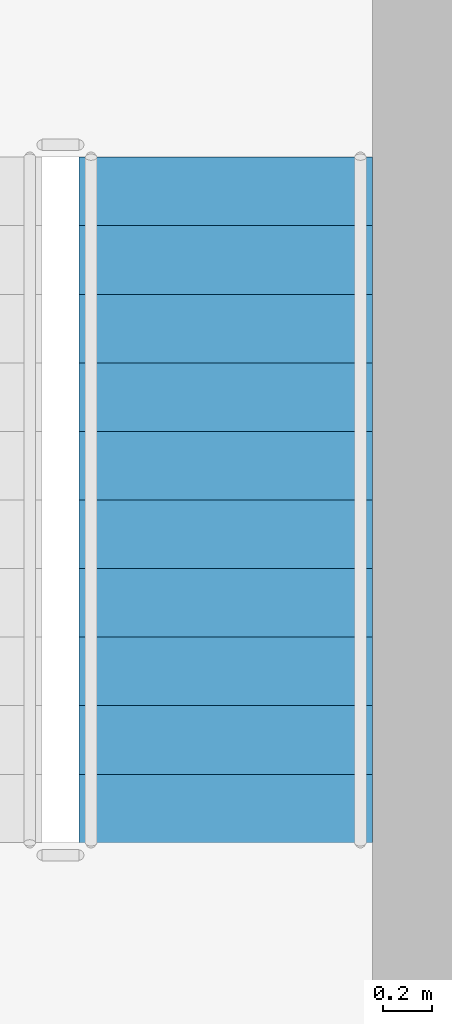
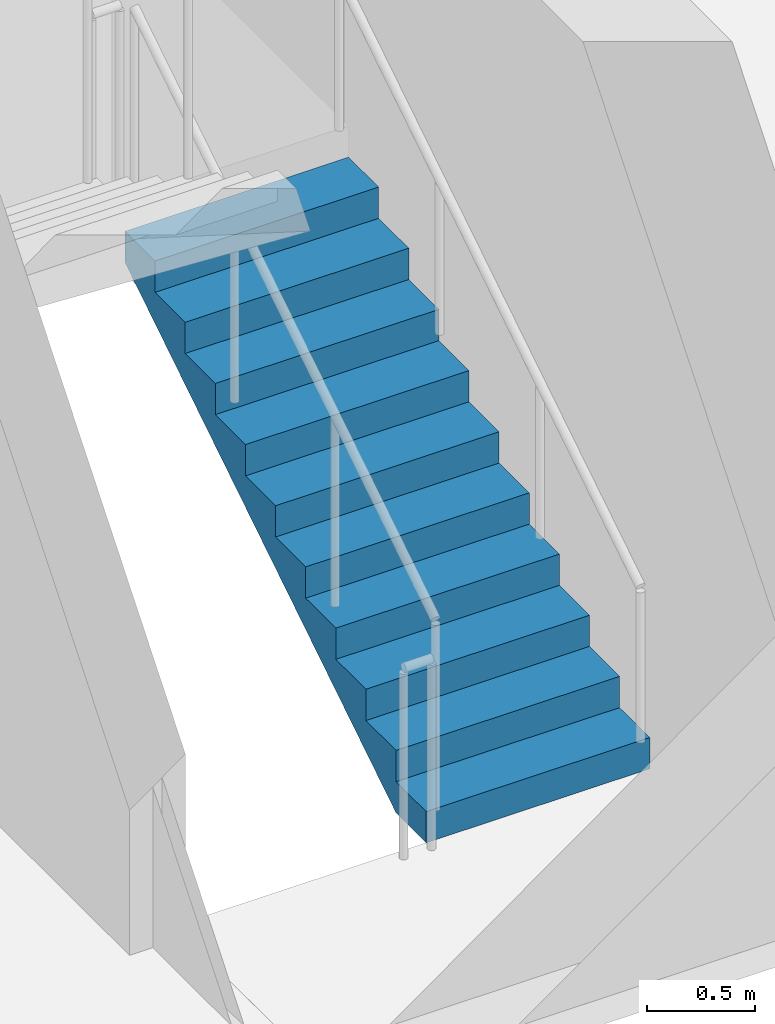
# One storey, part 6 of 7: 1 stair flight, 1 element without a shape of its own.
"""IFC4 building model written with IfcOpenShell, lengths in metres."""

from ifc_helpers import new_model, si_unit, direction, frame, origin, place, context, subcontext, project, spatial, polyline, outline, extrude, material, type_object, element, aggregate, save


model = new_model("IFC4")

# Units and contexts
model_context = context("Model", 3, precision=1e-05, world=origin(), true_north=direction((0.0, 1.0)))
body_context = subcontext(model_context, "Body", "Model", "MODEL_VIEW")
ifc_project = project(units=[si_unit("LENGTHUNIT", "METRE"), si_unit("AREAUNIT", "SQUARE_METRE"), si_unit("VOLUMEUNIT", "CUBIC_METRE"), si_unit("PLANEANGLEUNIT", "RADIAN"), si_unit("MASSUNIT", "GRAM", prefix="KILO")], contexts=[model_context])

# Site, building, storey
site_placement = place(None, origin())
site = spatial("IfcSite", under=ifc_project, at=site_placement, CompositionType="ELEMENT")
building_placement = place(site_placement, origin())
building = spatial("IfcBuilding", under=site, at=building_placement, Name="Aloe Facet Convention Tower", CompositionType="ELEMENT")
storey_placement = place(building_placement, frame((0.0, 0.0, 269.89990234375)))
storey = spatial("IfcBuildingStorey", under=building, at=storey_placement, Name="L66", CompositionType="ELEMENT", Elevation=269.89990234375)

# Stair, stair flight
ifc_material_1 = material(Name="Concrete C50/60", Category="concrete")
stair_type = type_object("IfcStairType", Name="CR-ST-22R", PredefinedType="HALF_TURN_STAIR", material=ifc_material_1)
stair_placement = place(storey_placement, origin())
stair = element("IfcStair", 1, at=stair_placement, inside=storey, type_object=stair_type, Name="L66 Protected exit stair ST2", PredefinedType="HALF_TURN_STAIR")
ifc_material_2 = material(Name="Concrete C50/60", Category="concrete")
stair_flight_type = type_object("IfcStairFlightType", Name="CR-SFL-22R", PredefinedType="STRAIGHT", material=ifc_material_2)
stair_flight_placement = place(storey_placement, frame((89.800048828125, 128.949951171875, 0.0), z_axis=(0.0, 0.0, 1.0), x_axis=(0.0, 1.0, 0.0)))
stair_flight = element("IfcStairFlight", 2, at=stair_flight_placement, type_object=stair_flight_type, Name="ST2 flight 1", NumberOfRisers=11, NumberOfTreads=10, PredefinedType="STRAIGHT", RiserHeight=0.177272727, TreadLength=0.28, context=body_context, shape_type="SweptSolid", body=[
    extrude(outline(polyline([(0.0, 0.0), (0.0, 0.17724609375), (0.280029296875, 0.17724609375), (0.280029296875, 0.3544921875), (0.56005859375, 0.3544921875), (0.56005859375, 0.53173828125), (0.840087890625, 0.53173828125), (0.840087890625, 0.708984375), (1.1201171875, 0.708984375), (1.1201171875, 0.886474609375), (1.39990234375, 0.886474609375), (1.39990234375, 1.063720703125), (1.679931640625, 1.063720703125), (1.679931640625, 1.240966796875), (1.9599609375, 1.240966796875), (1.9599609375, 1.418212890625), (2.239990234375, 1.418212890625), (2.239990234375, 1.595458984375), (2.52001953125, 1.595458984375), (2.52001953125, 1.772705078125), (2.800048828125, 1.772705078125), (2.800048828125, 1.949951171875), (2.800048828125, 1.59521484375), (0.2802734375, 0.0), (0.0, 0.0)])), frame((0.0, 0.60009765625, 0.0), z_axis=(0.0, -1.0, 0.0), x_axis=(1.0, 0.0, 0.0)), (0.0, 0.0, 1.0), 1.199951171875),
])
aggregate(stair, [stair_flight])

save(model, "model.ifc")
